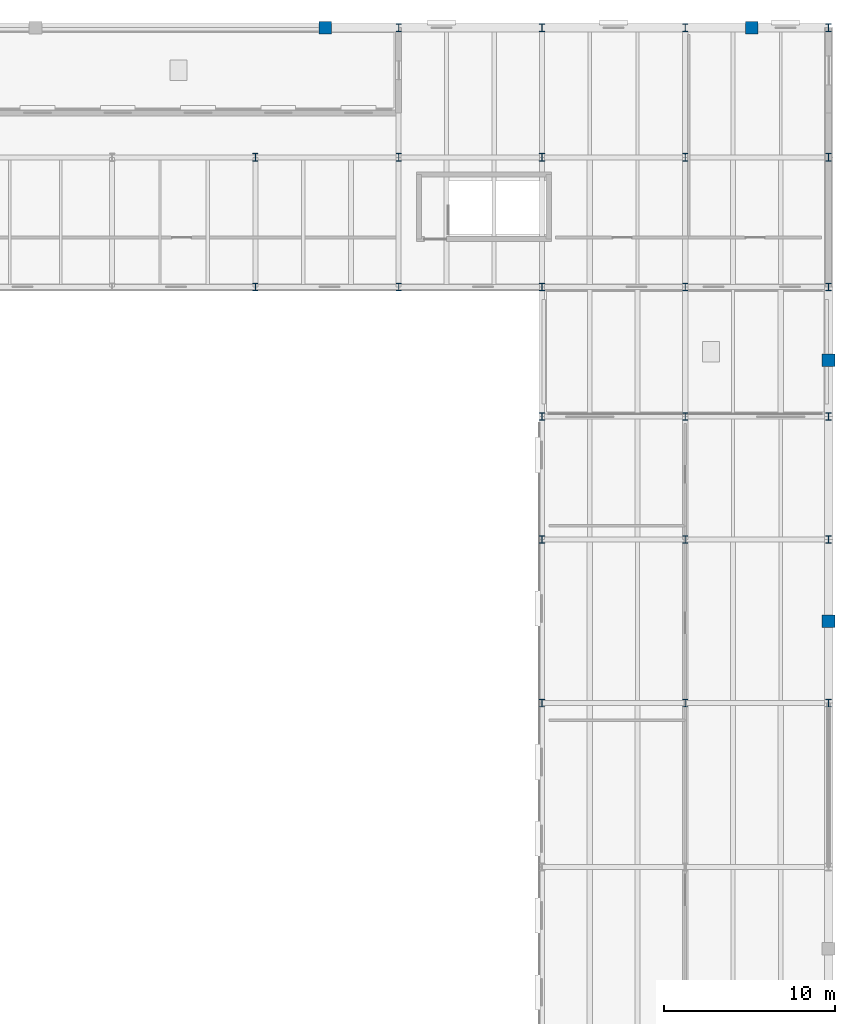
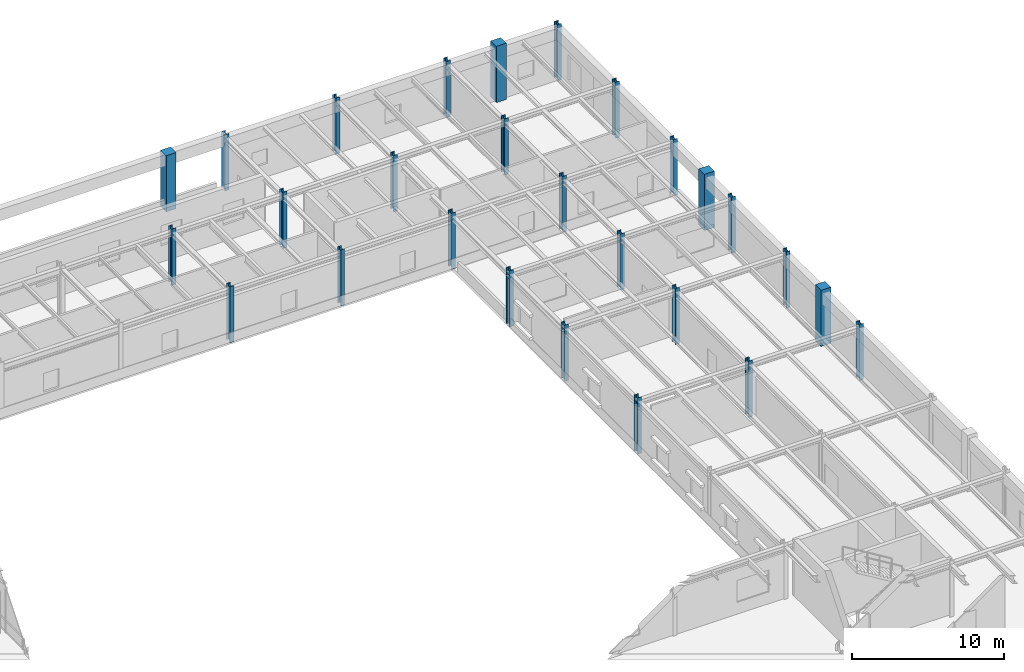
# One storey, part 17 of 64: 27 columns.
"""IFC4 building model written with IfcOpenShell, lengths in metres."""

import ifcopenshell
import ifcopenshell.guid

model = None  # the IFC model being written
_history = None  # IfcOwnerHistory: only IFC2X3 demands one
_inside = {}  # id of a spatial element -> (the spatial element, [elements in it])
_under = {}  # id of a project, library or spatial element -> (it, [spatial elements below it])
_declared = {}  # id of a project -> (the project, [libraries it declares])
_typed = {}  # id of a type object -> (the type object, [elements of that type])
_made_of = {}  # id of a material, layer set ... -> (it, [elements and type objects made of it])


def new_model(schema):
    """Start an empty IFC model of exactly this schema.

    Asked for "IFC4X3", IfcOpenShell would pick the latest addendum, in which some entities
    have other attributes; the version numbers below select the first issue.
    IFC2X3 requires an IfcOwnerHistory on every rooted entity: one is made here for all.
    """
    global model, _history
    if schema == "IFC4X3":
        model = ifcopenshell.file(schema_version=(4, 3, 0, 0))
    else:
        model = ifcopenshell.file(schema=schema)
    _inside.clear()
    _under.clear()
    _declared.clear()
    _typed.clear()
    _made_of.clear()
    _history = None
    if model.schema == "IFC2X3":
        org = make("IfcOrganization", Name="unknown")
        user = make(
            "IfcPersonAndOrganization",
            ThePerson=make("IfcPerson", FamilyName="unknown"),
            TheOrganization=org,
        )
        app = make(
            "IfcApplication",
            ApplicationDeveloper=org,
            Version="unknown",
            ApplicationFullName="unknown",
            ApplicationIdentifier="unknown",
        )
        _history = make(
            "IfcOwnerHistory",
            OwningUser=user,
            OwningApplication=app,
            ChangeAction="ADDED",
            CreationDate=0,
        )
    return model


def make(cls, **values):
    """One entity of the class cls with the attributes given. An attribute that is None is left unset."""
    return model.create_entity(
        cls, **{name: value for name, value in values.items() if value is not None}
    )


def rooted(cls, **values):
    """An entity with a GlobalId (a new one), such as an element, a storey or a relation."""
    return make(cls, GlobalId=ifcopenshell.guid.new(), OwnerHistory=_history, **values)


def si_unit(unit_type, name, prefix=None):
    """IfcSIUnit, for example si_unit("LENGTHUNIT", "METRE", prefix="MILLI")."""
    return make("IfcSIUnit", UnitType=unit_type, Prefix=prefix, Name=name)


def assignment(units):
    """IfcUnitAssignment: the units of a project."""
    return None if units is None else make("IfcUnitAssignment", Units=units)


def point(xyz):
    """IfcCartesianPoint."""
    return None if xyz is None else make("IfcCartesianPoint", Coordinates=xyz)


def direction(xyz):
    """IfcDirection."""
    return None if xyz is None else make("IfcDirection", DirectionRatios=xyz)


def frame(location, z_axis=None, x_axis=None):
    """IfcAxis2Placement3D, a coordinate frame: its origin and axes. An axis left out is left unset."""
    return make(
        "IfcAxis2Placement3D",
        Location=point(location),
        Axis=direction(z_axis),
        RefDirection=direction(x_axis),
    )


def frame_2d(location, x_axis=None):
    """IfcAxis2Placement2D, a coordinate frame in the plane: its origin and x axis."""
    return make(
        "IfcAxis2Placement2D", Location=point(location), RefDirection=direction(x_axis)
    )


def origin():
    """The frame at (0, 0, 0) with its axes left unset."""
    return frame((0.0, 0.0, 0.0))


def origin_2d():
    """The frame at (0, 0) in the plane with its x axis left unset."""
    return frame_2d((0.0, 0.0))


def place(relative_to, where):
    """IfcLocalPlacement: puts the frame where relative to a parent placement (None: the world)."""
    return make(
        "IfcLocalPlacement", PlacementRelTo=relative_to, RelativePlacement=where
    )


def context(
    kind, dimensions, precision=None, world=None, true_north=None, identifier=None
):
    """IfcGeometricRepresentationContext, for example the 3D "Model" context."""
    return make(
        "IfcGeometricRepresentationContext",
        ContextIdentifier=identifier,
        ContextType=kind,
        CoordinateSpaceDimension=dimensions,
        Precision=precision,
        WorldCoordinateSystem=world,
        TrueNorth=true_north,
    )


def subcontext(parent, identifier, kind, view, scale=None):
    """IfcGeometricRepresentationSubContext, for example "Body" below "Model"."""
    return make(
        "IfcGeometricRepresentationSubContext",
        ContextIdentifier=identifier,
        ContextType=kind,
        ParentContext=parent,
        TargetScale=scale,
        TargetView=view,
    )


def project(units=None, contexts=None):
    """IfcProject with its units and contexts."""
    return rooted(
        "IfcProject",
        Name="project",
        RepresentationContexts=contexts,
        UnitsInContext=assignment(units),
    )


def spatial(cls, under=None, at=None, **own):
    """A site, building, storey or space (cls), placed at a placement, below another one or the project."""
    s = rooted(cls, ObjectPlacement=at, **own)
    if under is not None:
        _under.setdefault(under.id(), (under, []))[1].append(s)
    return s


def profile(cls, at=None, kind="AREA", **sizes):
    """A parametric profile (cls). Its sizes go by their IFC names, for example OverallWidth=200.0."""
    return make(cls, ProfileType=kind, Position=at, **sizes)


def rectangle(**sizes):
    """IfcRectangleProfileDef."""
    return profile("IfcRectangleProfileDef", **sizes)


def i_section(**sizes):
    """IfcIShapeProfileDef."""
    return profile("IfcIShapeProfileDef", **sizes)


def extrude(swept, where, along, depth):
    """IfcExtrudedAreaSolid: the profile swept, set in the frame where, extruded along a direction by depth."""
    return make(
        "IfcExtrudedAreaSolid",
        SweptArea=swept,
        Position=where,
        ExtrudedDirection=direction(along),
        Depth=depth,
    )


def shape(context_of_items, identifier, shape_type, items):
    """IfcShapeRepresentation: the items that make up one representation, for example the "Body"."""
    return make(
        "IfcShapeRepresentation",
        ContextOfItems=context_of_items,
        RepresentationIdentifier=identifier,
        RepresentationType=shape_type,
        Items=items,
    )


def material(Name=None, Category=None):
    """IfcMaterial."""
    return make("IfcMaterial", Name=Name, Category=Category)


def material_profile(
    of_material, cross_section, Name=None, Category=None, Priority=None
):
    """IfcMaterialProfile: a cross section and its material."""
    return make(
        "IfcMaterialProfile",
        Name=Name,
        Material=of_material,
        Profile=cross_section,
        Priority=Priority,
        Category=Category,
    )


def profile_set(profiles, Name=None, composite=None):
    """IfcMaterialProfileSet."""
    return make(
        "IfcMaterialProfileSet",
        Name=Name,
        MaterialProfiles=profiles,
        CompositeProfile=composite,
    )


def made_of(thing, what):
    """Note that an element or type object is made of a material, layer set ...; save() writes the relation."""
    if what is not None:
        _made_of.setdefault(what.id(), (what, []))[1].append(thing)
    return thing


def type_object(cls, material=None, **own):
    """A type object (cls), such as IfcWallType, which elements share."""
    return made_of(rooted(cls, **own), material)


def element(
    cls,
    number,
    at=None,
    inside=None,
    cuts=None,
    type_object=None,
    material=None,
    context=None,
    identifier="Body",
    shape_type=None,
    held_by="IfcProductDefinitionShape",
    body=None,
    shapes=None,
    **own,
):
    """One element of the class cls, such as IfcWall. Its Tag is "e" and its number.

    at: its placement. inside: the storey or other place that contains it. cuts: it is an
    opening in that element (IfcRelVoidsElement). A single representation is given by context,
    identifier, shape_type and body (its items); several are given by shapes. held_by: the class
    of the entity that holds the representations. save() writes the other relations.
    """
    e = rooted(cls, Tag="e%d" % number, ObjectPlacement=at, **own)
    if body is not None:
        shapes = [shape(context, identifier, shape_type, body)]
    if shapes is not None:
        e.Representation = make(held_by, Representations=shapes)
    if inside is not None:
        _inside.setdefault(inside.id(), (inside, []))[1].append(e)
    if cuts is not None:
        rooted(
            "IfcRelVoidsElement", RelatingBuildingElement=cuts, RelatedOpeningElement=e
        )
    if type_object is not None:
        _typed.setdefault(type_object.id(), (type_object, []))[1].append(e)
    return made_of(e, material)


def aggregate(whole, parts):
    """IfcRelAggregates: a whole, such as a stair, and the parts it consists of."""
    return rooted("IfcRelAggregates", RelatingObject=whole, RelatedObjects=parts)


def save(model, path):
    """Write the relations noted so far, then the file.

    IfcRelAggregates (storeys below a building ...), IfcRelContainedInSpatialStructure (elements
    in a storey), IfcRelDefinesByType, IfcRelAssociatesMaterial and IfcRelDeclares: one each for
    every whole, place, type object, material and project.
    """
    for whole, parts in _under.values():
        aggregate(whole, parts)
    for where, things in _inside.values():
        rooted(
            "IfcRelContainedInSpatialStructure",
            RelatedElements=things,
            RelatingStructure=where,
        )
    for kind, things in _typed.values():
        rooted("IfcRelDefinesByType", RelatedObjects=things, RelatingType=kind)
    for what, things in _made_of.values():
        rooted("IfcRelAssociatesMaterial", RelatedObjects=things, RelatingMaterial=what)
    for by, libraries in _declared.values():
        rooted("IfcRelDeclares", RelatingContext=by, RelatedDefinitions=libraries)
    model.write(path)


model = new_model("IFC4")

# Units and contexts
model_context = context("Model", 3, precision=1e-05, world=origin(), true_north=direction((0.0, 1.0)))
body_context = subcontext(model_context, "Body", "Model", "MODEL_VIEW")
ifc_project = project(units=[si_unit("LENGTHUNIT", "METRE"), si_unit("AREAUNIT", "SQUARE_METRE"), si_unit("VOLUMEUNIT", "CUBIC_METRE"), si_unit("PLANEANGLEUNIT", "RADIAN"), si_unit("MASSUNIT", "GRAM", prefix="KILO")], contexts=[model_context])

# Site, building, storey
site_placement = place(None, origin())
site = spatial("IfcSite", under=ifc_project, at=site_placement, CompositionType="ELEMENT")
building_placement = place(site_placement, origin())
building = spatial("IfcBuilding", under=site, at=building_placement, Name="Montealbar Specialist Clinic", CompositionType="ELEMENT")
storey_placement = place(building_placement, frame((0.0, 0.0, 5.10009765625)))
storey = spatial("IfcBuildingStorey", under=building, at=storey_placement, Name="L01", CompositionType="ELEMENT", Elevation=5.10009765625)

# Columns
ifc_material_1 = material(Name="Steel S355", Category="steel")
ifc_material_profile_1 = material_profile(ifc_material_1, i_section(OverallWidth=0.300048828125, OverallDepth=0.449951171875, WebThickness=0.013916015625, FlangeThickness=0.02587890625, FilletRadius=0.027099609375, at=origin_2d()), Name="HEB 450", Category="steel")
ifc_profile_set_1 = profile_set([ifc_material_profile_1], Name="Steel S355")
column_type_1 = type_object("IfcColumnType", Name="COL-S-L01-STD", PredefinedType="COLUMN", material=ifc_profile_set_1)
for number, where, z_axis, x_axis, name in (
    (1, (128.39990234375, 103.39990234375, 0.0), (0.0, 0.0, 1.0), (1.0, 0.0, 0.0), "Column 17/N L01"),
    (2, (136.800048828125, 103.39990234375, 0.0), (0.0, 0.0, 1.0), (1.0, 0.0, 0.0), "Column 18/N L01"),
    (3, (145.199951171875, 103.39990234375, 0.0), (0.0, 0.0, 1.0), (1.0, 0.0, 0.0), "Column 19/N L01"),
    (4, (153.60009765625, 71.39990234375, 0.0), (0.0, 0.0, 1.0), (1.0, 0.0, 0.0), "Column 20/J L01"),
    (5, (153.60009765625, 81.0, 0.0), (0.0, 0.0, 1.0), (1.0, 0.0, 0.0), "Column 20/K L01"),
    (6, (153.60009765625, 103.39990234375, 0.0), (0.0, 0.0, 1.0), (1.0, 0.0, 0.0), "Column 20/N L01"),
):
    element("IfcColumn", number, at=place(storey_placement, frame(where, z_axis=z_axis, x_axis=x_axis)), inside=storey, type_object=column_type_1, Name=name, PredefinedType="COLUMN", context=body_context, shape_type="SweptSolid", body=[
        extrude(i_section(OverallWidth=0.300048828125, OverallDepth=0.449951171875, WebThickness=0.013916015625, FlangeThickness=0.02587890625, FilletRadius=0.027099609375, at=origin_2d()), origin(), (0.0, 0.0, 1.0), 4.5),
    ])
ifc_material_profile_2 = material_profile(ifc_material_1, i_section(OverallWidth=0.300048828125, OverallDepth=0.449951171875, WebThickness=0.013916015625, FlangeThickness=0.02587890625, FilletRadius=0.027099609375, at=origin_2d()), Name="HEB 450", Category="steel")
ifc_profile_set_2 = profile_set([ifc_material_profile_2], Name="Steel S355")
column_type_2 = type_object("IfcColumnType", Name="COL-S-L01-STD-EXT", PredefinedType="COLUMN", material=ifc_profile_set_2)
for number, where, z_axis, x_axis, name in (
    (7, (128.39990234375, 95.800048828125, 0.0), (0.0, 0.0, 1.0), (1.0, 0.0, 0.0), "Column 17/M L01"),
    (8, (136.800048828125, 95.800048828125, 0.0), (0.0, 0.0, 1.0), (1.0, 0.0, 0.0), "Column 18/M L01"),
    (9, (136.800048828125, 111.0, 0.0), (0.0, 0.0, 1.0), (1.0, 0.0, 0.0), "Column 18/P L01"),
    (10, (145.199951171875, 71.39990234375, 0.0), (0.0, 0.0, 1.0), (1.0, 0.0, 0.0), "Column 19/J L01"),
    (11, (145.199951171875, 81.0, 0.0), (0.0, 0.0, 1.0), (1.0, 0.0, 0.0), "Column 19/K L01"),
    (12, (145.199951171875, 88.199951171875, 0.0), (0.0, 0.0, 1.0), (1.0, 0.0, 0.0), "Column 19/L L01"),
    (13, (145.199951171875, 95.800048828125, 0.0), (0.0, 0.0, 1.0), (1.0, 0.0, 0.0), "Column 19/M L01"),
    (14, (145.199951171875, 111.0, 0.0), (0.0, 0.0, 1.0), (1.0, 0.0, 0.0), "Column 19/P L01"),
    (15, (153.60009765625, 88.199951171875, 0.0), (0.0, 0.0, 1.0), (1.0, 0.0, 0.0), "Column 20/L L01"),
    (16, (153.60009765625, 95.800048828125, 0.0), (0.0, 0.0, 1.0), (1.0, 0.0, 0.0), "Column 20/M L01"),
    (17, (153.60009765625, 111.0, 0.0), (0.0, 0.0, 1.0), (1.0, 0.0, 0.0), "Column 20/P L01"),
    (18, (162.0, 71.39990234375, 0.0), (0.0, 0.0, 1.0), (1.0, 0.0, 0.0), "Column 21/J L01"),
    (19, (162.0, 81.0, 0.0), (0.0, 0.0, 1.0), (1.0, 0.0, 0.0), "Column 21/K L01"),
    (20, (162.0, 88.199951171875, 0.0), (0.0, 0.0, 1.0), (1.0, 0.0, 0.0), "Column 21/L L01"),
    (21, (162.0, 95.800048828125, 0.0), (0.0, 0.0, 1.0), (1.0, 0.0, 0.0), "Column 21/M L01"),
    (22, (162.0, 103.39990234375, 0.0), (0.0, 0.0, 1.0), (1.0, 0.0, 0.0), "Column 21/N L01"),
    (23, (162.0, 111.0, 0.0), (0.0, 0.0, 1.0), (1.0, 0.0, 0.0), "Column 21/P L01"),
):
    element("IfcColumn", number, at=place(storey_placement, frame(where, z_axis=z_axis, x_axis=x_axis)), inside=storey, type_object=column_type_2, Name=name, PredefinedType="COLUMN", context=body_context, shape_type="SweptSolid", body=[
        extrude(i_section(OverallWidth=0.300048828125, OverallDepth=0.449951171875, WebThickness=0.013916015625, FlangeThickness=0.02587890625, FilletRadius=0.027099609375, at=origin_2d()), origin(), (0.0, 0.0, 1.0), 4.5),
    ])
ifc_material_2 = material(Name="Guadarrama granite ashlar", Category="masonry")
ifc_material_profile_3 = material_profile(ifc_material_2, rectangle(XDim=0.75, YDim=0.75, at=origin_2d()), Name="GRANITE PILASTER 750x750", Category="masonry")
ifc_profile_set_3 = profile_set([ifc_material_profile_3], Name="Guadarrama granite ashlar")
column_type_3 = type_object("IfcColumnType", Name="PIL-PM-GIANT-EXT", PredefinedType="PILASTER", material=ifc_profile_set_3)
for number, where, z_axis, x_axis, name in (
    (24, (132.5, 111.0, 0.0), (0.0, 0.0, 1.0), (1.0, 0.0, 0.0), "Column NP11/P L01"),
    (25, (157.5, 111.0, 0.0), (0.0, 0.0, 1.0), (1.0, 0.0, 0.0), "Column NP12/P L01"),
    (26, (162.0, 76.199951171875, 0.0), (0.0, 0.0, 1.0), (1.0, 0.0, 0.0), "Column EP3/JK L01"),
    (27, (162.0, 91.5, 0.0), (0.0, 0.0, 1.0), (1.0, 0.0, 0.0), "Column EP4/LM L01"),
):
    element("IfcColumn", number, at=place(storey_placement, frame(where, z_axis=z_axis, x_axis=x_axis)), inside=storey, type_object=column_type_3, Name=name, PredefinedType="PILASTER", context=body_context, shape_type="SweptSolid", body=[
        extrude(rectangle(XDim=0.75, YDim=0.75, at=origin_2d()), origin(), (0.0, 0.0, 1.0), 4.5),
    ])

save(model, "model.ifc")
